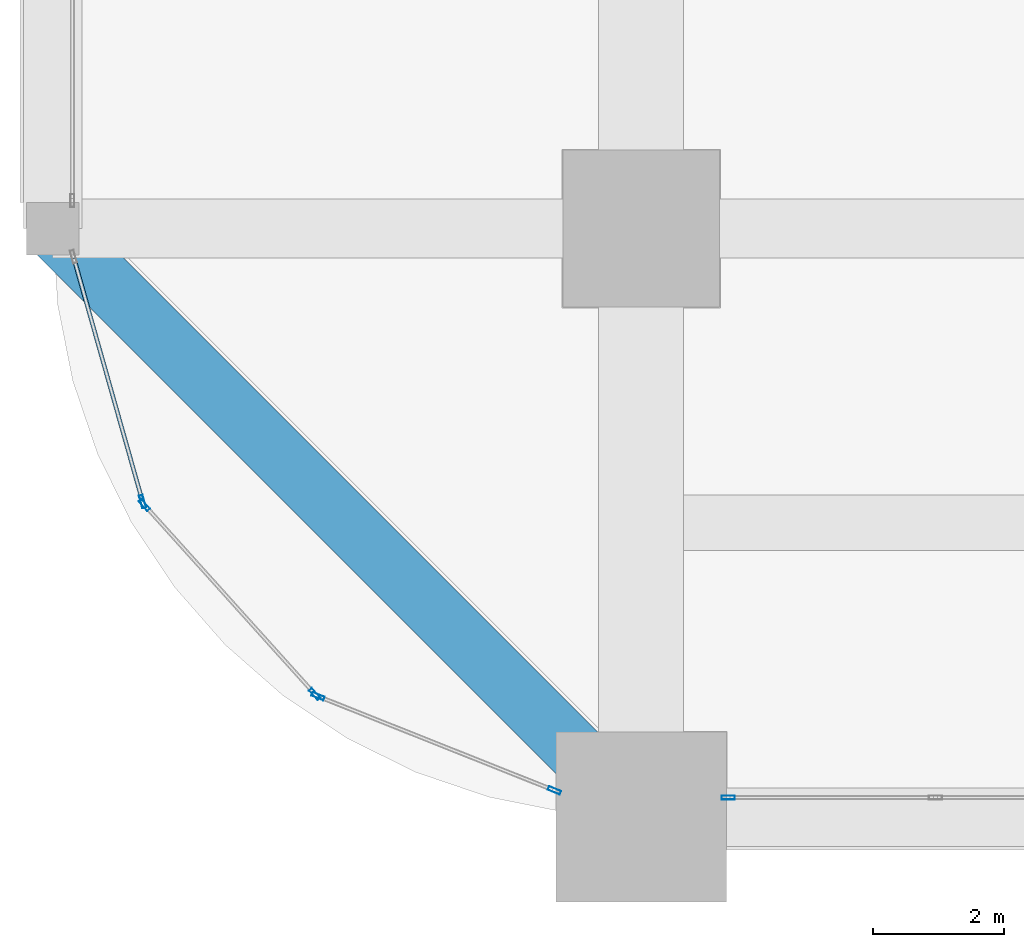
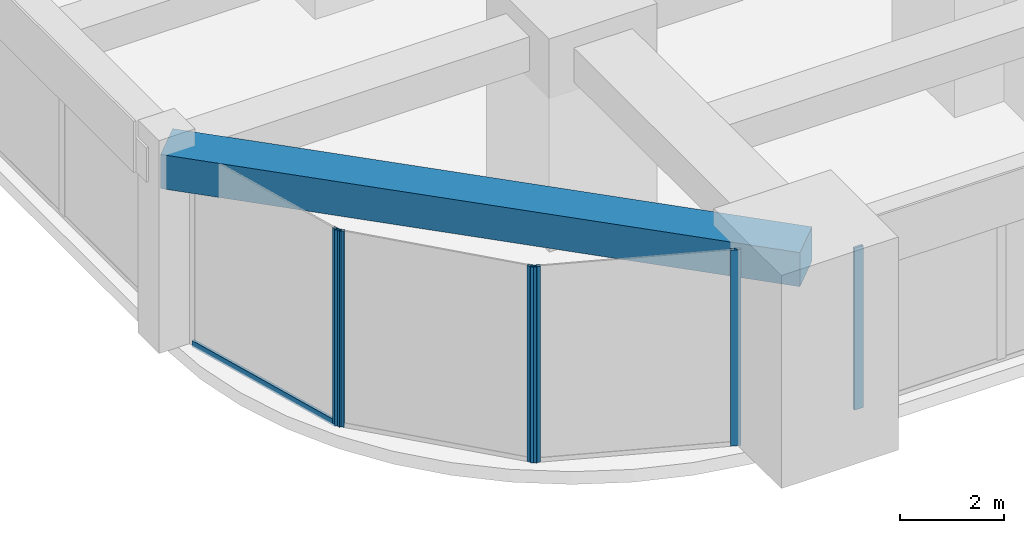
# One storey, part 2 of 46: 7 members, 1 beam, 4 elements without a shape of their own.
"""IFC4 building model written with IfcOpenShell, lengths in metres."""

from ifc_helpers import new_model, si_unit, direction, frame, origin, origin_2d, place, context, subcontext, project, spatial, rectangle, hollow_rectangle, extrude, material, material_profile, profile_set, type_object, element, aggregate, save


model = new_model("IFC4")

# Units and contexts
model_context = context("Model", 3, precision=1e-05, world=origin(), true_north=direction((0.0, 1.0)))
body_context = subcontext(model_context, "Body", "Model", "MODEL_VIEW")
ifc_project = project(units=[si_unit("LENGTHUNIT", "METRE"), si_unit("AREAUNIT", "SQUARE_METRE"), si_unit("VOLUMEUNIT", "CUBIC_METRE"), si_unit("PLANEANGLEUNIT", "RADIAN"), si_unit("MASSUNIT", "GRAM", prefix="KILO")], contexts=[model_context])

# Site, building, storey
site_placement = place(None, origin())
site = spatial("IfcSite", under=ifc_project, at=site_placement, CompositionType="ELEMENT")
building_placement = place(site_placement, origin())
building = spatial("IfcBuilding", under=site, at=building_placement, Name="Zorevar Civic Tower", CompositionType="ELEMENT")
storey_placement = place(building_placement, frame((0.0, 0.0, 10.800048828125)))
storey = spatial("IfcBuildingStorey", under=building, at=storey_placement, Name="L02", CompositionType="ELEMENT", Elevation=10.800048828125)

# Curtain wall, member
ifc_material_1 = material(Name="Dark grey solar-control glass in black aluminium frame", Category="aluminium")
curtain_wall_type = type_object("IfcCurtainWallType", Name="Curtain wall CW1 podium", PredefinedType="NOTDEFINED", material=ifc_material_1)
curtain_wall_1_placement = place(storey_placement, origin())
curtain_wall_1 = element("IfcCurtainWall", 1, at=curtain_wall_1_placement, inside=storey, type_object=curtain_wall_type, Name="CW1 L02", PredefinedType="NOTDEFINED")
ifc_material_2 = material(Name="Aluminium, black anodised", Category="aluminium")
ifc_material_profile_1 = material_profile(ifc_material_2, hollow_rectangle(XDim=0.06005859375, YDim=0.199951171875, WallThickness=0.00390625, at=origin_2d()), Name="AL 200x60x4")
ifc_profile_set_1 = profile_set([ifc_material_profile_1], Name="Aluminium, black anodised")
member_type_1 = type_object("IfcMemberType", Name="CW1 mullion AL 200x60x4", PredefinedType="MULLION", material=ifc_profile_set_1)
member_1_placement = place(storey_placement, frame((1.330078125, 0.300048828125, 0.0), z_axis=(0.0, 0.0, 1.0), x_axis=(0.0, 1.0, 0.0)))
member_1 = element("IfcMember", 2, at=member_1_placement, type_object=member_type_1, Name="CW1 mullion 1", PredefinedType="MULLION", context=body_context, shape_type="SweptSolid", body=[
    extrude(hollow_rectangle(XDim=0.06005859375, YDim=0.199951171875, WallThickness=0.00390625, at=origin_2d()), origin(), (0.0, 0.0, 1.0), 3.800048828125),
])
aggregate(curtain_wall_1, [member_1])

curtain_wall_2_placement = place(storey_placement, origin())
curtain_wall_2 = element("IfcCurtainWall", 3, at=curtain_wall_2_placement, inside=storey, type_object=curtain_wall_type, Name="CW1 L02", PredefinedType="NOTDEFINED")
member_2_placement = place(storey_placement, frame((-7.625244140625, 4.825439453125, 0.0), z_axis=(0.0, 0.0, 1.0), x_axis=(0.962390725943, 0.271669082929, 0.0)))
member_2 = element("IfcMember", 4, at=member_2_placement, type_object=member_type_1, Name="CW1 mullion 2", PredefinedType="MULLION", context=body_context, shape_type="SweptSolid", body=[
    extrude(hollow_rectangle(XDim=0.06005859375, YDim=0.199951171875, WallThickness=0.00390625, at=origin_2d()), origin(), (0.0, 0.0, 1.0), 4.599853515625),
])

# Curtain wall, members
curtain_wall_3_placement = place(storey_placement, origin())
curtain_wall_3 = element("IfcCurtainWall", 5, at=curtain_wall_3_placement, inside=storey, type_object=curtain_wall_type, Name="CW1 L02", PredefinedType="NOTDEFINED")
member_3_placement = place(storey_placement, frame((-7.596923828125, 4.774169921875, 0.0), z_axis=(0.0, 0.0, 1.0), x_axis=(0.742899688263, 0.669402758568, 0.0)))
member_3 = element("IfcMember", 6, at=member_3_placement, type_object=member_type_1, Name="CW1 mullion 1", PredefinedType="MULLION", context=body_context, shape_type="SweptSolid", body=[
    extrude(hollow_rectangle(XDim=0.06005859375, YDim=0.199951171875, WallThickness=0.00390625, at=origin_2d()), origin(), (0.0, 0.0, 1.0), 4.599853515625),
])
member_4_placement = place(storey_placement, frame((-4.991455078125, 1.8828125, 0.0), z_axis=(0.0, 0.0, 1.0), x_axis=(0.742899688263, 0.669402758568, 0.0)))
member_4 = element("IfcMember", 7, at=member_4_placement, type_object=member_type_1, Name="CW1 mullion 2", PredefinedType="MULLION", context=body_context, shape_type="SweptSolid", body=[
    extrude(hollow_rectangle(XDim=0.06005859375, YDim=0.199951171875, WallThickness=0.00390625, at=origin_2d()), origin(), (0.0, 0.0, 1.0), 4.599853515625),
])
aggregate(curtain_wall_3, [member_3, member_4])

curtain_wall_4_placement = place(storey_placement, origin())
curtain_wall_4 = element("IfcCurtainWall", 8, at=curtain_wall_4_placement, inside=storey, type_object=curtain_wall_type, Name="CW1 L02", PredefinedType="NOTDEFINED")
member_5_placement = place(storey_placement, frame((-4.943603515625, 1.849365234375, 0.0), z_axis=(0.0, 0.0, 1.0), x_axis=(0.370110964218, 0.928987553289, 0.0)))
member_5 = element("IfcMember", 9, at=member_5_placement, type_object=member_type_1, Name="CW1 mullion 1", PredefinedType="MULLION", context=body_context, shape_type="SweptSolid", body=[
    extrude(hollow_rectangle(XDim=0.06005859375, YDim=0.199951171875, WallThickness=0.00390625, at=origin_2d()), origin(), (0.0, 0.0, 1.0), 4.599853515625),
])
member_6_placement = place(storey_placement, frame((-1.327880859375, 0.408935546875, 0.0), z_axis=(0.0, 0.0, 1.0), x_axis=(0.370110964218, 0.928987553289, 0.0)))
member_6 = element("IfcMember", 10, at=member_6_placement, type_object=member_type_1, Name="CW1 mullion 2", PredefinedType="MULLION", context=body_context, shape_type="SweptSolid", body=[
    extrude(hollow_rectangle(XDim=0.06005859375, YDim=0.199951171875, WallThickness=0.00390625, at=origin_2d()), origin(), (0.0, 0.0, 1.0), 4.599853515625),
])
aggregate(curtain_wall_4, [member_5, member_6])

# Member
ifc_material_3 = material(Name="Aluminium, black anodised", Category="aluminium")
ifc_material_profile_2 = material_profile(ifc_material_3, hollow_rectangle(XDim=0.06005859375, YDim=0.14990234375, WallThickness=0.00390625, at=origin_2d()), Name="AL 150x60x4")
ifc_profile_set_2 = profile_set([ifc_material_profile_2], Name="Aluminium, black anodised")
member_type_2 = type_object("IfcMemberType", Name="CW1 transom AL 150x60x4", PredefinedType="USERDEFINED", material=ifc_profile_set_2)
member_7_placement = place(storey_placement, frame((-8.67431640625, 8.542236328125, 0.030029296875), z_axis=(0.271656874729, -0.962394172059, 0.0), x_axis=(0.962394172059, 0.271656874729, 0.0)))
member_7 = element("IfcMember", 11, at=member_7_placement, type_object=member_type_2, Name="CW1 sill transom", ObjectType="TRANSOM", PredefinedType="USERDEFINED", context=body_context, shape_type="SweptSolid", body=[
    extrude(hollow_rectangle(XDim=0.06005859375, YDim=0.14990234375, WallThickness=0.00390625, at=origin_2d()), origin(), (0.0, 0.0, 1.0), 3.83203125),
])

aggregate(curtain_wall_2, [member_2, member_7])

# Beam
ifc_material_4 = material(Name="Concrete C50/60", Category="concrete")
ifc_material_profile_3 = material_profile(ifc_material_4, rectangle(XDim=0.89990234375, YDim=0.800048828125, at=origin_2d()), Name="RC 900x800")
ifc_profile_set_3 = profile_set([ifc_material_profile_3], Name="Concrete C50/60")
beam_type = type_object("IfcBeamType", Name="Edge beam RC 900x800", PredefinedType="SPANDREL", material=ifc_profile_set_3)
beam_placement = place(storey_placement, frame((-9.0, 9.0, 4.199951171875), z_axis=(0.707106781187, -0.707106781187, 0.0), x_axis=(0.707106781187, 0.707106781187, 0.0)))
element("IfcBeam", 12, at=beam_placement, inside=storey, type_object=beam_type, Name="Corner edge beam L03", PredefinedType="SPANDREL", context=body_context, shape_type="SweptSolid", body=[
    extrude(rectangle(XDim=0.89990234375, YDim=0.800048828125, at=origin_2d()), origin(), (0.0, 0.0, 1.0), 12.72802734375),
])

save(model, "model.ifc")
